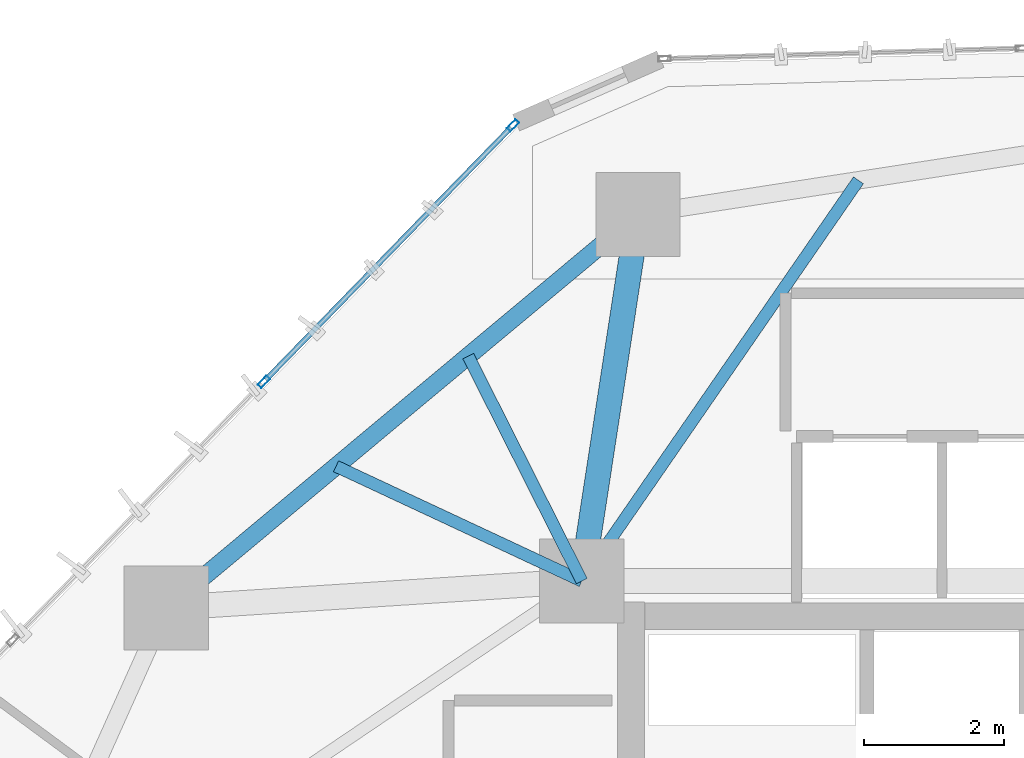
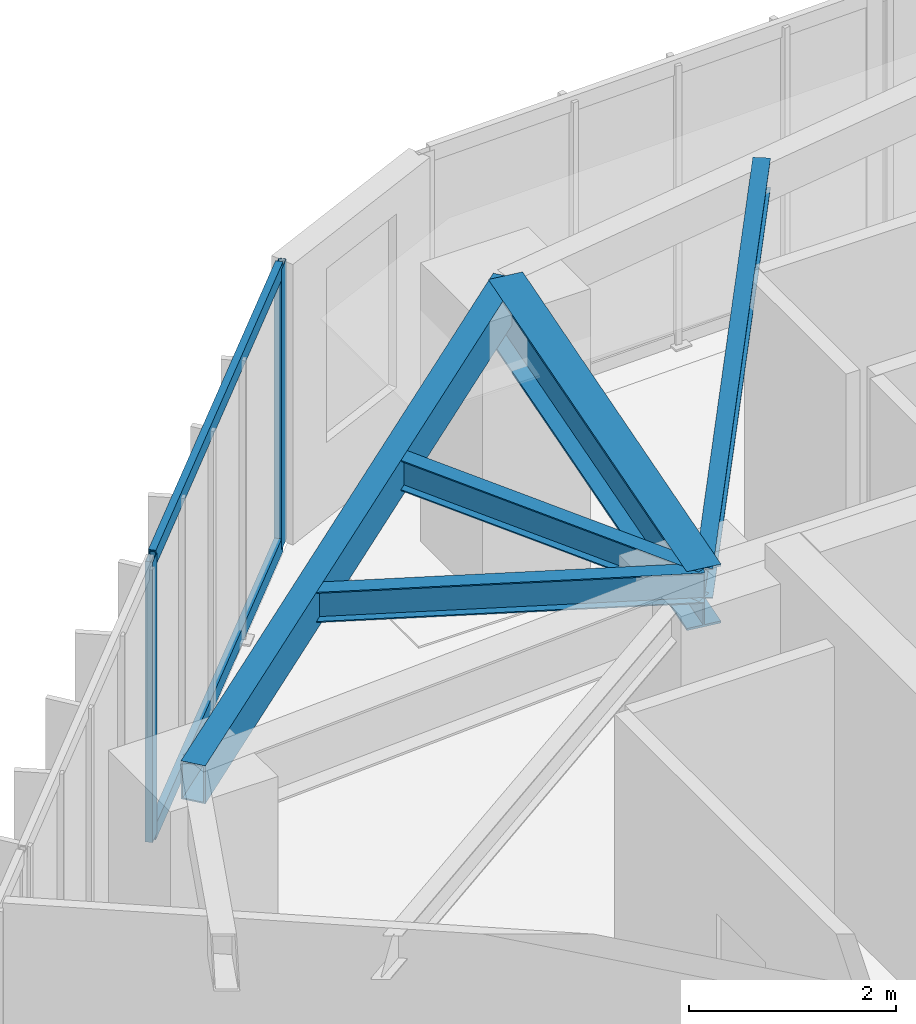
# One storey, part 10 of 23: 5 beams, 4 members, 1 element without a shape of its own.
"""IFC4 building model written with IfcOpenShell, lengths in metres."""

from ifc_helpers import new_model, si_unit, direction, frame, origin, origin_2d, place, context, subcontext, project, spatial, hollow_rectangle, i_section, extrude, source, transform, mapped, material, layer, layer_set, material_profile, profile_set, type_object, type_shapes, element, aggregate, save


model = new_model("IFC4")

# Units and contexts
model_context = context("Model", 3, precision=1e-05, world=origin(), true_north=direction((0.0, 1.0)))
body_context = subcontext(model_context, "Body", "Model", "MODEL_VIEW")
ifc_project = project(units=[si_unit("LENGTHUNIT", "METRE"), si_unit("AREAUNIT", "SQUARE_METRE"), si_unit("VOLUMEUNIT", "CUBIC_METRE"), si_unit("PLANEANGLEUNIT", "RADIAN"), si_unit("MASSUNIT", "GRAM", prefix="KILO")], contexts=[model_context])

# Site, building, storey
site_placement = place(None, origin())
site = spatial("IfcSite", under=ifc_project, at=site_placement, CompositionType="ELEMENT")
building_placement = place(site_placement, origin())
building = spatial("IfcBuilding", under=site, at=building_placement, Name="Talar Marvaseh", CompositionType="ELEMENT")
storey_placement = place(building_placement, frame((0.0, 0.0, 96.60009765625)))
storey = spatial("IfcBuildingStorey", under=building, at=storey_placement, Name="L24", CompositionType="ELEMENT", Elevation=96.60009765625)

# Beams
ifc_material_1 = material(Name="Steel S355", Category="steel")
ifc_material_profile_1 = material_profile(ifc_material_1, hollow_rectangle(XDim=0.25, YDim=0.449951171875, WallThickness=0.01611328125, at=origin_2d()), Name="RHS450x250x16")
ifc_profile_set_1 = profile_set([ifc_material_profile_1], Name="Steel S355")
beam_type_1 = type_object("IfcBeamType", Name="Zone 2 Perimeter Spandrel Beam RHS450x250x16", PredefinedType="SPANDREL", material=ifc_profile_set_1)
beam_1_placement = place(storey_placement, frame((12.780029296875, 36.51708984375, 3.0849609375), z_axis=(0.76793081465, 0.640532796905, 0.0), x_axis=(-0.640532796905, 0.76793081465, 0.0)))
element("IfcBeam", 1, at=beam_1_placement, inside=storey, type_object=beam_type_1, Name="L24 Zone 2 Perimeter Spandrel Beam RHS450x250x16", PredefinedType="SPANDREL", context=body_context, shape_type="SweptSolid", body=[
    extrude(hollow_rectangle(XDim=0.25, YDim=0.449951171875, WallThickness=0.01611328125, at=origin_2d()), origin(), (0.0, 0.0, 1.0), 8.751953125),
])
ifc_material_profile_2 = material_profile(ifc_material_1, i_section(OverallWidth=0.35498046875, OverallDepth=0.695068359375, WebThickness=0.015380859375, FlangeThickness=0.02490234375, at=origin_2d()), Name="W690x217")
ifc_profile_set_2 = profile_set([ifc_material_profile_2], Name="Steel S355")
beam_type_2 = type_object("IfcBeamType", Name="Zone 2 Radial Floor Girder W690x217", PredefinedType="BEAM", material=ifc_profile_set_2)
beam_2_placement = place(storey_placement, frame((19.5009765625, 42.123046875, 2.96240234375), z_axis=(-0.151588471466, -0.98844369355, 0.0), x_axis=(0.98844369355, -0.151588471466, 0.0)))
element("IfcBeam", 2, at=beam_2_placement, inside=storey, type_object=beam_type_2, Name="L24 Zone 2 Radial Floor Girder W690x217", PredefinedType="BEAM", context=body_context, shape_type="SweptSolid", body=[
    extrude(i_section(OverallWidth=0.35498046875, OverallDepth=0.695068359375, WebThickness=0.015380859375, FlangeThickness=0.02490234375, at=origin_2d()), origin(), (0.0, 0.0, 1.0), 5.2841796875),
])
ifc_material_profile_3 = material_profile(ifc_material_1, i_section(OverallWidth=0.172119140625, OverallDepth=0.35791015625, WebThickness=0.0078125, FlangeThickness=0.01318359375, at=origin_2d()), Name="W360x57")
ifc_profile_set_3 = profile_set([ifc_material_profile_3], Name="Steel S355")
beam_type_3 = type_object("IfcBeamType", Name="Zone 2 Secondary Floor Joist W360x57", PredefinedType="JOIST", material=ifc_profile_set_3)
beam_3_placement = place(storey_placement, frame((15.19970703125, 38.53515625, 3.130859375), z_axis=(0.906003856895, -0.423269431086, 0.0), x_axis=(0.423269431086, 0.906003856895, 0.0)))
element("IfcBeam", 3, at=beam_3_placement, inside=storey, type_object=beam_type_3, Name="L24 Zone 2 Secondary Floor Joist W360x57", PredefinedType="JOIST", context=body_context, shape_type="SweptSolid", body=[
    extrude(i_section(OverallWidth=0.172119140625, OverallDepth=0.35791015625, WebThickness=0.0078125, FlangeThickness=0.01318359375, at=origin_2d()), origin(), (0.0, 0.0, 1.0), 3.86328125),
])
beam_4_placement = place(storey_placement, frame((17.081298828125, 40.104736328125, 3.130859375), z_axis=(0.450827436945, -0.892611125909, 0.0), x_axis=(0.892611125909, 0.450827436945, 0.0)))
element("IfcBeam", 4, at=beam_4_placement, inside=storey, type_object=beam_type_3, Name="L24 Zone 2 Secondary Floor Joist W360x57", PredefinedType="JOIST", context=body_context, shape_type="SweptSolid", body=[
    extrude(i_section(OverallWidth=0.172119140625, OverallDepth=0.35791015625, WebThickness=0.0078125, FlangeThickness=0.01318359375, at=origin_2d()), origin(), (0.0, 0.0, 1.0), 3.59033203125),
])
beam_5_placement = place(storey_placement, frame((22.640625, 42.608642578125, 3.130859375), z_axis=(-0.568085734836, -0.822969378456, 0.0), x_axis=(0.822969378456, -0.568085734836, 0.0)))
element("IfcBeam", 5, at=beam_5_placement, inside=storey, type_object=beam_type_3, Name="L24 Zone 2 Secondary Floor Joist W360x57", PredefinedType="JOIST", context=body_context, shape_type="SweptSolid", body=[
    extrude(i_section(OverallWidth=0.172119140625, OverallDepth=0.35791015625, WebThickness=0.0078125, FlangeThickness=0.01318359375, at=origin_2d()), origin(), (0.0, 0.0, 1.0), 6.936767578125),
])

# Curtain wall, members
ifc_material_2 = material(Name="Architectural Aluminium", Category="aluminium")
ifc_layer = layer(ifc_material_2, 0.199951171875)
ifc_layer_set = layer_set([ifc_layer], Name="Architectural Aluminium")
curtain_wall_type = type_object("IfcCurtainWallType", Name="Unitised Acoustic Library Curtain Wall Z2", PredefinedType="NOTDEFINED", material=ifc_layer_set)
curtain_wall_placement = place(storey_placement, origin())
curtain_wall = element("IfcCurtainWall", 6, at=curtain_wall_placement, inside=storey, type_object=curtain_wall_type, Name="L24 Unitised Acoustic Library Curtain Wall Z2", PredefinedType="NOTDEFINED")
ifc_material_profile_4 = material_profile(ifc_material_2, hollow_rectangle(XDim=0.074951171875, YDim=0.179931640625, WallThickness=0.0048828125, at=origin_2d()), Name="RHS180x75x5")
ifc_profile_set_4 = profile_set([ifc_material_profile_4], Name="Architectural Aluminium")
member_type_1 = type_object("IfcMemberType", Name="Unitised Curtain Wall Transom RHS180x75x5", PredefinedType="USERDEFINED", material=ifc_profile_set_4)
shared_shape_1 = source(origin(), body_context, "Body", "SweptSolid", [
    extrude(hollow_rectangle(XDim=0.074951171875, YDim=0.179931640625, WallThickness=0.0048828125, at=origin_2d()), origin(), (0.0, 0.0, 1.0), 5.017333984375),
])
type_shapes(member_type_1, [shared_shape_1])
member_1_placement = place(storey_placement, frame((14.196533203125, 39.764404296875, 0.037353515625), z_axis=(0.696938020636, 0.717131365506, 0.0), x_axis=(-0.717131365506, 0.696938020636, 0.0)))
member_1 = element("IfcMember", 7, at=member_1_placement, type_object=member_type_1, Name="CW-Z2 transom 3.1", ObjectType="TRANSOM", PredefinedType="USERDEFINED", context=body_context, shape_type="MappedRepresentation", body=[
    mapped(shared_shape_1, transform((0.0, 0.0, 0.0), x_axis=(1.0, 0.0, 0.0), y_axis=(0.0, 1.0, 0.0), z_axis=(0.0, 0.0, 1.0), scale=1.0)),
])
member_2_placement = place(storey_placement, frame((14.196533203125, 39.764404296875, 3.2724609375), z_axis=(0.696938020636, 0.717131365506, 0.0), x_axis=(-0.717131365506, 0.696938020636, 0.0)))
member_2 = element("IfcMember", 8, at=member_2_placement, type_object=member_type_1, Name="CW-Z2 transom 3.2", ObjectType="TRANSOM", PredefinedType="USERDEFINED", context=body_context, shape_type="MappedRepresentation", body=[
    mapped(shared_shape_1, transform((0.0, 0.0, 0.0), x_axis=(1.0, 0.0, 0.0), y_axis=(0.0, 1.0, 0.0), z_axis=(0.0, 0.0, 1.0), scale=1.0)),
])
ifc_material_profile_5 = material_profile(ifc_material_2, hollow_rectangle(XDim=0.074951171875, YDim=0.179931640625, WallThickness=0.0048828125, at=origin_2d()), Name="RHS180x75x5")
ifc_profile_set_5 = profile_set([ifc_material_profile_5], Name="Architectural Aluminium")
member_type_2 = type_object("IfcMemberType", Name="Unitised Curtain Wall Standard Mullion RHS180x75x5", PredefinedType="MULLION", material=ifc_profile_set_5)
shared_shape_2 = source(origin(), body_context, "Body", "SweptSolid", [
    extrude(hollow_rectangle(XDim=0.074951171875, YDim=0.179931640625, WallThickness=0.0048828125, at=origin_2d()), origin(), (0.0, 0.0, 1.0), 3.309814453125),
])
type_shapes(member_type_2, [shared_shape_2])
member_3_placement = place(storey_placement, frame((14.17041015625, 39.7373046875, 0.0), z_axis=(0.0, 0.0, 1.0), x_axis=(-0.717125619445, 0.696943933137, 0.0)))
member_3 = element("IfcMember", 9, at=member_3_placement, type_object=member_type_2, Name="CW-Z2 mullion 3", PredefinedType="MULLION", context=body_context, shape_type="MappedRepresentation", body=[
    mapped(shared_shape_2, transform((0.0, 0.0, 0.0), x_axis=(1.0, 0.0, 0.0), y_axis=(0.0, 1.0, 0.0), z_axis=(0.0, 0.0, 1.0), scale=1.0)),
])
member_4_placement = place(storey_placement, frame((17.719482421875, 43.389404296875, 0.0), z_axis=(0.0, 0.0, 1.0), x_axis=(-0.717125619445, 0.696943933137, 0.0)))
member_4 = element("IfcMember", 10, at=member_4_placement, type_object=member_type_2, Name="CW-Z2 mullion 4", PredefinedType="MULLION", context=body_context, shape_type="MappedRepresentation", body=[
    mapped(shared_shape_2, transform((0.0, 0.0, 0.0), x_axis=(1.0, 0.0, 0.0), y_axis=(0.0, 1.0, 0.0), z_axis=(0.0, 0.0, 1.0), scale=1.0)),
])
aggregate(curtain_wall, [member_3, member_4, member_1, member_2])

save(model, "model.ifc")
